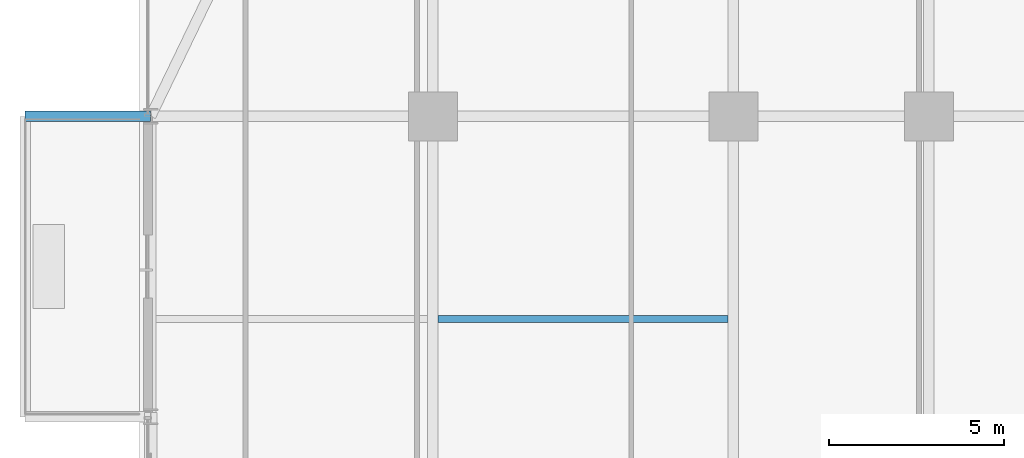
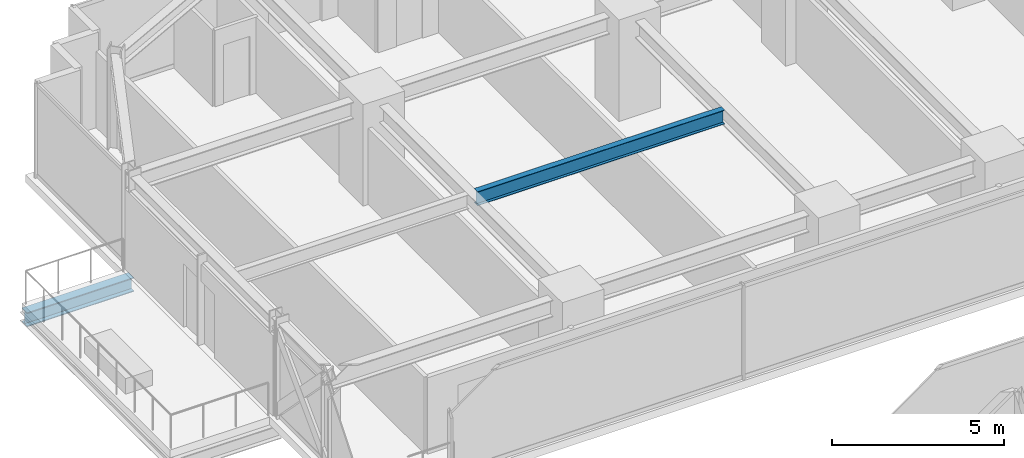
# One storey, part 25 of 42: 2 beams.
"""IFC4 building model written with IfcOpenShell, lengths in metres."""

from ifc_helpers import new_model, si_unit, direction, frame, origin, origin_2d, place, context, subcontext, project, spatial, i_section, extrude, source, transform, mapped, material, material_profile, profile_set, type_object, element, save


model = new_model("IFC4")

# Units and contexts
model_context = context("Model", 3, precision=1e-05, world=origin(), true_north=direction((0.0, 1.0)))
body_context = subcontext(model_context, "Body", "Model", "MODEL_VIEW")
ifc_project = project(units=[si_unit("LENGTHUNIT", "METRE"), si_unit("AREAUNIT", "SQUARE_METRE"), si_unit("VOLUMEUNIT", "CUBIC_METRE"), si_unit("PLANEANGLEUNIT", "RADIAN"), si_unit("MASSUNIT", "GRAM", prefix="KILO")], contexts=[model_context])

# Site, building, storey
site_placement = place(None, origin())
site = spatial("IfcSite", under=ifc_project, at=site_placement, CompositionType="ELEMENT")
building_placement = place(site_placement, origin())
building = spatial("IfcBuilding", under=site, at=building_placement, Name="Nahalor Promenade Grand Hotel", CompositionType="ELEMENT")
storey_placement = place(building_placement, frame((0.0, 0.0, 61.60009765625)))
storey = spatial("IfcBuildingStorey", under=building, at=storey_placement, Name="L14", CompositionType="ELEMENT", Elevation=61.60009765625)

# Beams
ifc_material = material(Name="Steel S355JR", Category="steel")
ifc_material_profile_1 = material_profile(ifc_material, i_section(OverallWidth=0.3, OverallDepth=0.5, WebThickness=0.0145, FlangeThickness=0.028, at=origin_2d()), Name="HEB 500")
ifc_profile_set_1 = profile_set([ifc_material_profile_1], Name="Steel S355JR")
beam_type_1 = type_object("IfcBeamType", Name="Beam-Outrigger-HEB500", PredefinedType="BEAM", material=ifc_profile_set_1)
shared_shape_1 = source(origin(), body_context, "Body", "SweptSolid", [
    extrude(i_section(OverallWidth=0.3, OverallDepth=0.5, WebThickness=0.0145, FlangeThickness=0.028, at=origin_2d()), origin(), (0.0, 0.0, 1.0), 3.58984375),
])
beam_1_placement = place(storey_placement, frame((-28.669921875, 17.0, -0.530029296875), z_axis=(1.0, 0.0, 0.0), x_axis=(0.0, 1.0, 0.0)))
element("IfcBeam", 1, at=beam_1_placement, inside=storey, type_object=beam_type_1, Name="BM-L14-BC-02-2", PredefinedType="BEAM", context=body_context, shape_type="MappedRepresentation", body=[
    mapped(shared_shape_1, transform((0.0, 0.0, 0.0), scale=1.0)),
])
ifc_material_profile_2 = material_profile(ifc_material, i_section(OverallWidth=0.2, OverallDepth=0.5, WebThickness=0.0102, FlangeThickness=0.016, at=origin_2d()), Name="IPE 500")
ifc_profile_set_2 = profile_set([ifc_material_profile_2], Name="Steel S355JR")
beam_type_2 = type_object("IfcBeamType", Name="Beam-Joist-IPE500", PredefinedType="JOIST", material=ifc_profile_set_2)
shared_shape_2 = source(origin(), body_context, "Body", "SweptSolid", [
    extrude(i_section(OverallWidth=0.2, OverallDepth=0.5, WebThickness=0.0102, FlangeThickness=0.016, at=origin_2d()), origin(), (0.0, 0.0, 1.0), 8.300048828125),
])
beam_2_placement = place(storey_placement, frame((-16.85009765625, 11.199951171875, 3.119873046875), z_axis=(1.0, 0.0, 0.0), x_axis=(0.0, 1.0, 0.0)))
element("IfcBeam", 2, at=beam_2_placement, inside=storey, type_object=beam_type_2, Name="BM-L14-JSW-1-1", PredefinedType="JOIST", context=body_context, shape_type="MappedRepresentation", body=[
    mapped(shared_shape_2, transform((0.0, 0.0, 0.0), scale=1.0)),
])

save(model, "model.ifc")
